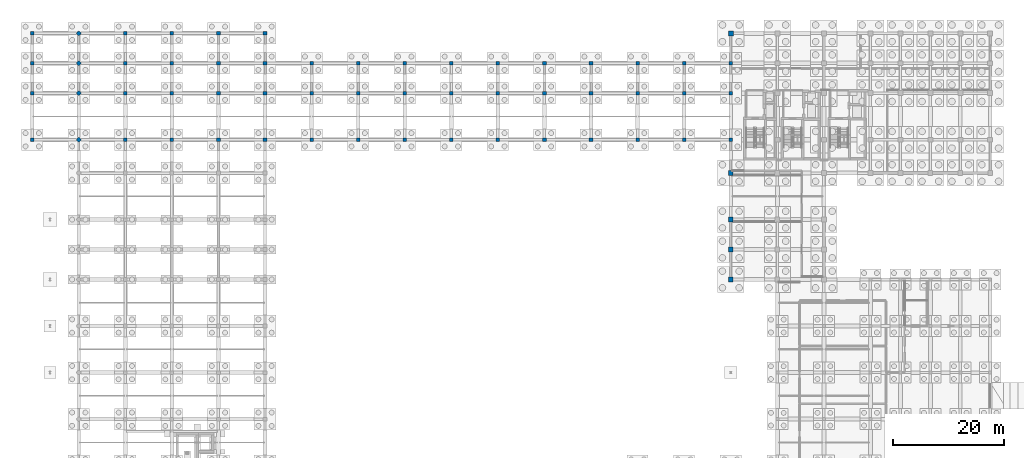
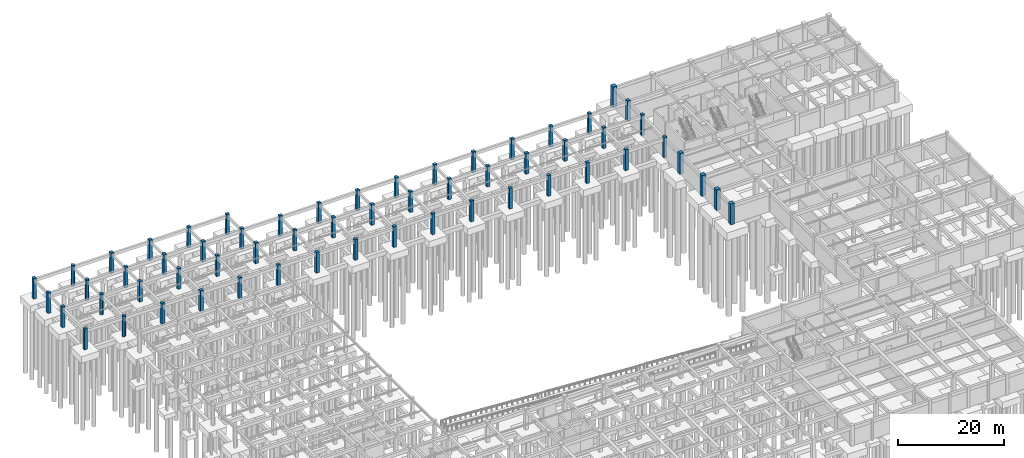
# One storey, part 23 of 49: 59 columns.
"""IFC4 building model written with IfcOpenShell, lengths in metres."""

from ifc_helpers import new_model, si_unit, direction, frame, origin, origin_2d, place, context, subcontext, project, spatial, rectangle, circle, extrude, material, material_profile, profile_set, type_object, element, save


model = new_model("IFC4")

# Units and contexts
model_context = context("Model", 3, precision=1e-05, world=origin(), true_north=direction((0.0, 1.0)))
body_context = subcontext(model_context, "Body", "Model", "MODEL_VIEW")
ifc_project = project(units=[si_unit("LENGTHUNIT", "METRE"), si_unit("AREAUNIT", "SQUARE_METRE"), si_unit("VOLUMEUNIT", "CUBIC_METRE"), si_unit("PLANEANGLEUNIT", "RADIAN"), si_unit("MASSUNIT", "GRAM", prefix="KILO")], contexts=[model_context])

# Site, building, storey
site_placement = place(None, origin())
site = spatial("IfcSite", under=ifc_project, at=site_placement, CompositionType="ELEMENT")
building_placement = place(site_placement, origin())
building = spatial("IfcBuilding", under=site, at=building_placement, Name="Krzemoval Escarpment Law Courts", CompositionType="ELEMENT")
storey_placement = place(building_placement, frame((0.0, 0.0, -4.800048828125)))
storey = spatial("IfcBuildingStorey", under=building, at=storey_placement, Name="B1", CompositionType="ELEMENT", Elevation=-4.800048828125)

# Columns
ifc_material_1 = material(Name="Concrete C40/50", Category="concrete")
ifc_material_profile_1 = material_profile(ifc_material_1, rectangle(XDim=0.64990234375, YDim=0.64990234375, at=origin_2d()), Name="RC 650x650")
ifc_profile_set_1 = profile_set([ifc_material_profile_1], Name="Concrete C40/50")
column_type_1 = type_object("IfcColumnType", Name="COL-RC-650", PredefinedType="COLUMN", material=ifc_profile_set_1)
for number, where, z_axis, x_axis, name in (
    (1, (0.0, 99.60009765625, 0.0), (0.0, 0.0, 1.0), (1.0, 0.0, 0.0), "Column FC-B1-0006"),
    (2, (0.0, 108.0, 0.0), (0.0, 0.0, 1.0), (1.0, 0.0, 0.0), "Column FC-B1-0007"),
    (3, (0.0, 113.39990234375, 0.0), (0.0, 0.0, 1.0), (1.0, 0.0, 0.0), "Column FC-B1-0008"),
    (4, (0.0, 118.800048828125, 0.0), (0.0, 0.0, 1.0), (1.0, 0.0, 0.0), "Column FC-B1-0009"),
    (5, (16.800048828125, 99.60009765625, 0.0), (0.0, 0.0, 1.0), (1.0, 0.0, 0.0), "Column FC-B1-0040"),
    (6, (16.800048828125, 108.0, 0.0), (0.0, 0.0, 1.0), (1.0, 0.0, 0.0), "Column FC-B1-0041"),
    (7, (16.800048828125, 113.39990234375, 0.0), (0.0, 0.0, 1.0), (1.0, 0.0, 0.0), "Column FC-B1-0042"),
    (8, (16.800048828125, 118.800048828125, 0.0), (0.0, 0.0, 1.0), (1.0, 0.0, 0.0), "Column FC-B1-0043"),
    (9, (25.199951171875, 99.60009765625, 0.0), (0.0, 0.0, 1.0), (1.0, 0.0, 0.0), "Column FC-B1-0057"),
    (10, (25.199951171875, 108.0, 0.0), (0.0, 0.0, 1.0), (1.0, 0.0, 0.0), "Column FC-B1-0058"),
    (11, (25.199951171875, 113.39990234375, 0.0), (0.0, 0.0, 1.0), (1.0, 0.0, 0.0), "Column FC-B1-0059"),
    (12, (25.199951171875, 118.800048828125, 0.0), (0.0, 0.0, 1.0), (1.0, 0.0, 0.0), "Column FC-B1-0060"),
    (13, (33.60009765625, 99.60009765625, 0.0), (0.0, 0.0, 1.0), (1.0, 0.0, 0.0), "Column FC-B1-0074"),
    (14, (33.60009765625, 108.0, 0.0), (0.0, 0.0, 1.0), (1.0, 0.0, 0.0), "Column FC-B1-0075"),
    (15, (33.60009765625, 113.39990234375, 0.0), (0.0, 0.0, 1.0), (1.0, 0.0, 0.0), "Column FC-B1-0076"),
    (16, (33.60009765625, 118.800048828125, 0.0), (0.0, 0.0, 1.0), (1.0, 0.0, 0.0), "Column FC-B1-0077"),
    (17, (42.0, 99.60009765625, 0.0), (0.0, 0.0, 1.0), (1.0, 0.0, 0.0), "Column FC-B1-0091"),
    (18, (42.0, 108.0, 0.0), (0.0, 0.0, 1.0), (1.0, 0.0, 0.0), "Column FC-B1-0092"),
    (19, (42.0, 113.39990234375, 0.0), (0.0, 0.0, 1.0), (1.0, 0.0, 0.0), "Column FC-B1-0093"),
    (20, (42.0, 118.800048828125, 0.0), (0.0, 0.0, 1.0), (1.0, 0.0, 0.0), "Column FC-B1-0094"),
    (21, (50.39990234375, 99.60009765625, 0.0), (0.0, 0.0, 1.0), (1.0, 0.0, 0.0), "Column FC-B1-0100"),
    (22, (50.39990234375, 108.0, 0.0), (0.0, 0.0, 1.0), (1.0, 0.0, 0.0), "Column FC-B1-0101"),
    (23, (50.39990234375, 113.39990234375, 0.0), (0.0, 0.0, 1.0), (1.0, 0.0, 0.0), "Column FC-B1-0102"),
    (24, (58.800048828125, 99.60009765625, 0.0), (0.0, 0.0, 1.0), (1.0, 0.0, 0.0), "Column FC-B1-0108"),
    (25, (58.800048828125, 108.0, 0.0), (0.0, 0.0, 1.0), (1.0, 0.0, 0.0), "Column FC-B1-0109"),
    (26, (58.800048828125, 113.39990234375, 0.0), (0.0, 0.0, 1.0), (1.0, 0.0, 0.0), "Column FC-B1-0110"),
    (27, (67.199951171875, 99.60009765625, 0.0), (0.0, 0.0, 1.0), (1.0, 0.0, 0.0), "Column FC-B1-0116"),
    (28, (67.199951171875, 108.0, 0.0), (0.0, 0.0, 1.0), (1.0, 0.0, 0.0), "Column FC-B1-0117"),
    (29, (67.199951171875, 113.39990234375, 0.0), (0.0, 0.0, 1.0), (1.0, 0.0, 0.0), "Column FC-B1-0118"),
    (30, (75.60009765625, 99.60009765625, 0.0), (0.0, 0.0, 1.0), (1.0, 0.0, 0.0), "Column FC-B1-0124"),
    (31, (75.60009765625, 108.0, 0.0), (0.0, 0.0, 1.0), (1.0, 0.0, 0.0), "Column FC-B1-0125"),
    (32, (75.60009765625, 113.39990234375, 0.0), (0.0, 0.0, 1.0), (1.0, 0.0, 0.0), "Column FC-B1-0126"),
    (33, (84.0, 99.60009765625, 0.0), (0.0, 0.0, 1.0), (1.0, 0.0, 0.0), "Column FC-B1-0132"),
    (34, (84.0, 108.0, 0.0), (0.0, 0.0, 1.0), (1.0, 0.0, 0.0), "Column FC-B1-0133"),
    (35, (84.0, 113.39990234375, 0.0), (0.0, 0.0, 1.0), (1.0, 0.0, 0.0), "Column FC-B1-0134"),
    (36, (92.39990234375, 99.60009765625, 0.0), (0.0, 0.0, 1.0), (1.0, 0.0, 0.0), "Column FC-B1-0140"),
    (37, (92.39990234375, 108.0, 0.0), (0.0, 0.0, 1.0), (1.0, 0.0, 0.0), "Column FC-B1-0141"),
    (38, (92.39990234375, 113.39990234375, 0.0), (0.0, 0.0, 1.0), (1.0, 0.0, 0.0), "Column FC-B1-0142"),
    (39, (100.800048828125, 99.60009765625, 0.0), (0.0, 0.0, 1.0), (1.0, 0.0, 0.0), "Column FC-B1-0148"),
    (40, (100.800048828125, 108.0, 0.0), (0.0, 0.0, 1.0), (1.0, 0.0, 0.0), "Column FC-B1-0149"),
    (41, (100.800048828125, 113.39990234375, 0.0), (0.0, 0.0, 1.0), (1.0, 0.0, 0.0), "Column FC-B1-0150"),
    (42, (109.199951171875, 99.60009765625, 0.0), (0.0, 0.0, 1.0), (1.0, 0.0, 0.0), "Column FC-B1-0157"),
    (43, (109.199951171875, 108.0, 0.0), (0.0, 0.0, 1.0), (1.0, 0.0, 0.0), "Column FC-B1-0158"),
    (44, (109.199951171875, 113.39990234375, 0.0), (0.0, 0.0, 1.0), (1.0, 0.0, 0.0), "Column FC-B1-0159"),
    (45, (117.60009765625, 99.60009765625, 0.0), (0.0, 0.0, 1.0), (1.0, 0.0, 0.0), "Column FC-B1-0166"),
    (46, (117.60009765625, 108.0, 0.0), (0.0, 0.0, 1.0), (1.0, 0.0, 0.0), "Column FC-B1-0167"),
    (47, (117.60009765625, 113.39990234375, 0.0), (0.0, 0.0, 1.0), (1.0, 0.0, 0.0), "Column FC-B1-0168"),
    (48, (126.0, 99.60009765625, 0.0), (0.0, 0.0, 1.0), (1.0, 0.0, 0.0), "Column FC-B1-0179"),
    (49, (126.0, 108.0, 0.0), (0.0, 0.0, 1.0), (1.0, 0.0, 0.0), "Column FC-B1-0180"),
    (50, (126.0, 113.39990234375, 0.0), (0.0, 0.0, 1.0), (1.0, 0.0, 0.0), "Column FC-B1-0181"),
):
    element("IfcColumn", number, at=place(storey_placement, frame(where, z_axis=z_axis, x_axis=x_axis)), inside=storey, type_object=column_type_1, Name=name, PredefinedType="COLUMN", context=body_context, shape_type="SweptSolid", body=[
        extrude(rectangle(XDim=0.64990234375, YDim=0.64990234375, at=origin_2d()), origin(), (0.0, 0.0, 1.0), 4.800048828125),
    ])
ifc_material_2 = material(Name="Concrete C50/60", Category="concrete")
ifc_material_profile_2 = material_profile(ifc_material_2, rectangle(XDim=0.85009765625, YDim=0.85009765625, at=origin_2d()), Name="RC 850x850")
ifc_profile_set_2 = profile_set([ifc_material_profile_2], Name="Concrete C50/60")
column_type_2 = type_object("IfcColumnType", Name="COL-RC-850", PredefinedType="COLUMN", material=ifc_profile_set_2)
for number, where, z_axis, x_axis, name in (
    (51, (126.0, 74.39990234375, 0.0), (0.0, 0.0, 1.0), (1.0, 0.0, 0.0), "Column FC-B1-0175"),
    (52, (126.0, 79.800048828125, 0.0), (0.0, 0.0, 1.0), (1.0, 0.0, 0.0), "Column FC-B1-0176"),
    (53, (126.0, 85.199951171875, 0.0), (0.0, 0.0, 1.0), (1.0, 0.0, 0.0), "Column FC-B1-0177"),
    (54, (126.0, 93.60009765625, 0.0), (0.0, 0.0, 1.0), (1.0, 0.0, 0.0), "Column FC-B1-0178"),
):
    element("IfcColumn", number, at=place(storey_placement, frame(where, z_axis=z_axis, x_axis=x_axis)), inside=storey, type_object=column_type_2, Name=name, PredefinedType="COLUMN", context=body_context, shape_type="SweptSolid", body=[
        extrude(rectangle(XDim=0.85009765625, YDim=0.85009765625, at=origin_2d()), origin(), (0.0, 0.0, 1.0), 4.800048828125),
    ])
ifc_material_3 = material(Name="Concrete C50/60", Category="concrete")
ifc_material_profile_3 = material_profile(ifc_material_3, rectangle(XDim=0.89990234375, YDim=0.89990234375, at=origin_2d()), Name="RC 900x900")
ifc_profile_set_3 = profile_set([ifc_material_profile_3], Name="Concrete C50/60")
column_type_3 = type_object("IfcColumnType", Name="COL-RC-900", PredefinedType="COLUMN", material=ifc_profile_set_3)
column_placement = place(storey_placement, frame((126.0, 118.800048828125, 0.0), z_axis=(0.0, 0.0, 1.0), x_axis=(1.0, 0.0, 0.0)))
element("IfcColumn", 55, at=column_placement, inside=storey, type_object=column_type_3, Name="Column FC-B1-0182", PredefinedType="COLUMN", context=body_context, shape_type="SweptSolid", body=[
    extrude(rectangle(XDim=0.89990234375, YDim=0.89990234375, at=origin_2d()), origin(), (0.0, 0.0, 1.0), 4.800048828125),
])
ifc_material_4 = material(Name="Concrete C40/50", Category="concrete")
ifc_material_profile_4 = material_profile(ifc_material_4, circle(Radius=0.375, at=origin_2d()), Name="RC D750")
ifc_profile_set_4 = profile_set([ifc_material_profile_4], Name="Concrete C40/50")
column_type_4 = type_object("IfcColumnType", Name="COL-RCD-750", PredefinedType="COLUMN", material=ifc_profile_set_4)
for number, where, z_axis, x_axis, name in (
    (56, (8.39990234375, 99.60009765625, 0.0), (0.0, 0.0, 1.0), (1.0, 0.0, 0.0), "Column FC-B1-0023"),
    (57, (8.39990234375, 108.0, 0.0), (0.0, 0.0, 1.0), (1.0, 0.0, 0.0), "Column FC-B1-0024"),
    (58, (8.39990234375, 113.39990234375, 0.0), (0.0, 0.0, 1.0), (1.0, 0.0, 0.0), "Column FC-B1-0025"),
    (59, (8.39990234375, 118.800048828125, 0.0), (0.0, 0.0, 1.0), (1.0, 0.0, 0.0), "Column FC-B1-0026"),
):
    element("IfcColumn", number, at=place(storey_placement, frame(where, z_axis=z_axis, x_axis=x_axis)), inside=storey, type_object=column_type_4, Name=name, PredefinedType="COLUMN", context=body_context, shape_type="SweptSolid", body=[
        extrude(circle(Radius=0.375, at=origin_2d()), origin(), (0.0, 0.0, 1.0), 4.800048828125),
    ])

save(model, "model.ifc")
